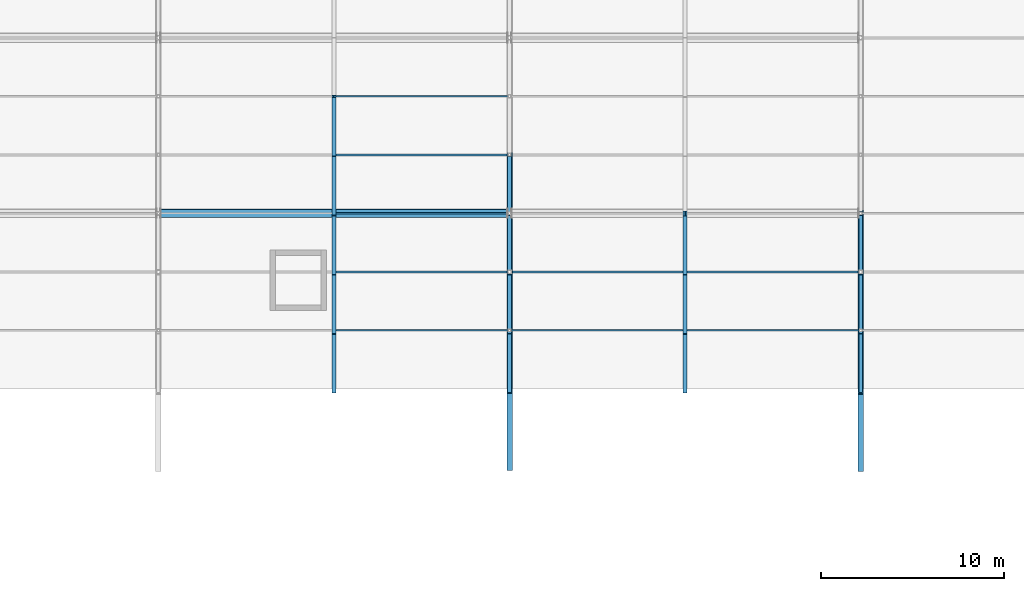
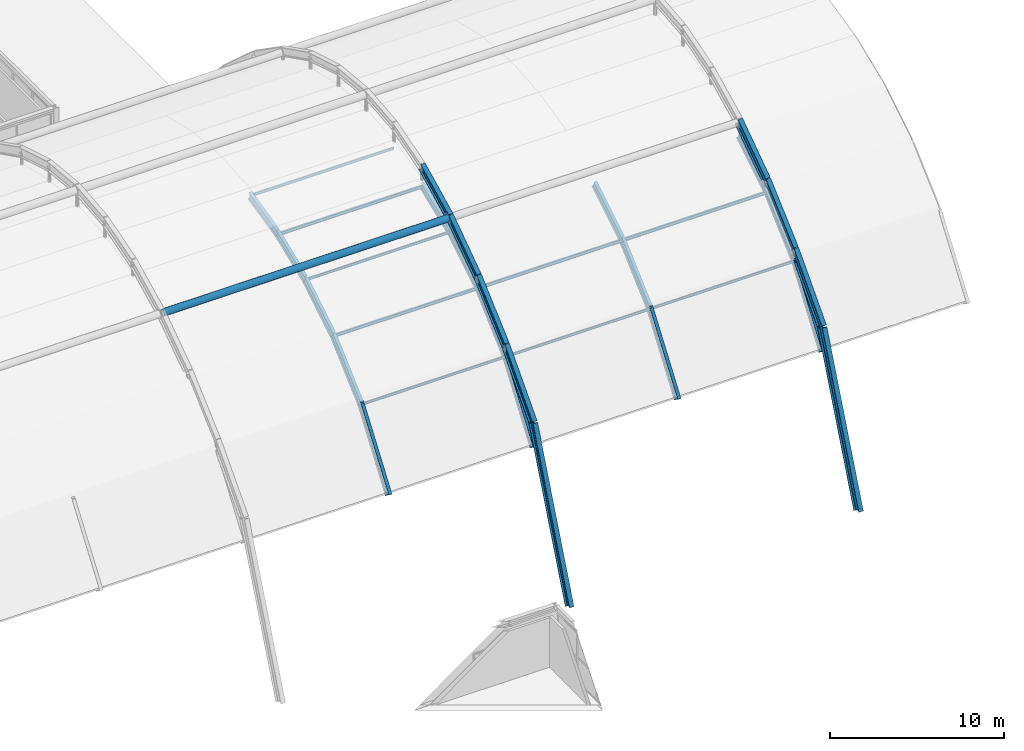
# One storey, part 60 of 126: 24 beams, 10 members.
"""IFC4 building model written with IfcOpenShell, lengths in metres."""

import ifcopenshell
import ifcopenshell.guid

model = None  # the IFC model being written
_history = None  # IfcOwnerHistory: only IFC2X3 demands one
_inside = {}  # id of a spatial element -> (the spatial element, [elements in it])
_under = {}  # id of a project, library or spatial element -> (it, [spatial elements below it])
_declared = {}  # id of a project -> (the project, [libraries it declares])
_typed = {}  # id of a type object -> (the type object, [elements of that type])
_made_of = {}  # id of a material, layer set ... -> (it, [elements and type objects made of it])


def new_model(schema):
    """Start an empty IFC model of exactly this schema.

    Asked for "IFC4X3", IfcOpenShell would pick the latest addendum, in which some entities
    have other attributes; the version numbers below select the first issue.
    IFC2X3 requires an IfcOwnerHistory on every rooted entity: one is made here for all.
    """
    global model, _history
    if schema == "IFC4X3":
        model = ifcopenshell.file(schema_version=(4, 3, 0, 0))
    else:
        model = ifcopenshell.file(schema=schema)
    _inside.clear()
    _under.clear()
    _declared.clear()
    _typed.clear()
    _made_of.clear()
    _history = None
    if model.schema == "IFC2X3":
        org = make("IfcOrganization", Name="unknown")
        user = make(
            "IfcPersonAndOrganization",
            ThePerson=make("IfcPerson", FamilyName="unknown"),
            TheOrganization=org,
        )
        app = make(
            "IfcApplication",
            ApplicationDeveloper=org,
            Version="unknown",
            ApplicationFullName="unknown",
            ApplicationIdentifier="unknown",
        )
        _history = make(
            "IfcOwnerHistory",
            OwningUser=user,
            OwningApplication=app,
            ChangeAction="ADDED",
            CreationDate=0,
        )
    return model


def make(cls, **values):
    """One entity of the class cls with the attributes given. An attribute that is None is left unset."""
    return model.create_entity(
        cls, **{name: value for name, value in values.items() if value is not None}
    )


def rooted(cls, **values):
    """An entity with a GlobalId (a new one), such as an element, a storey or a relation."""
    return make(cls, GlobalId=ifcopenshell.guid.new(), OwnerHistory=_history, **values)


def si_unit(unit_type, name, prefix=None):
    """IfcSIUnit, for example si_unit("LENGTHUNIT", "METRE", prefix="MILLI")."""
    return make("IfcSIUnit", UnitType=unit_type, Prefix=prefix, Name=name)


def assignment(units):
    """IfcUnitAssignment: the units of a project."""
    return None if units is None else make("IfcUnitAssignment", Units=units)


def point(xyz):
    """IfcCartesianPoint."""
    return None if xyz is None else make("IfcCartesianPoint", Coordinates=xyz)


def direction(xyz):
    """IfcDirection."""
    return None if xyz is None else make("IfcDirection", DirectionRatios=xyz)


def frame(location, z_axis=None, x_axis=None):
    """IfcAxis2Placement3D, a coordinate frame: its origin and axes. An axis left out is left unset."""
    return make(
        "IfcAxis2Placement3D",
        Location=point(location),
        Axis=direction(z_axis),
        RefDirection=direction(x_axis),
    )


def frame_2d(location, x_axis=None):
    """IfcAxis2Placement2D, a coordinate frame in the plane: its origin and x axis."""
    return make(
        "IfcAxis2Placement2D", Location=point(location), RefDirection=direction(x_axis)
    )


def origin():
    """The frame at (0, 0, 0) with its axes left unset."""
    return frame((0.0, 0.0, 0.0))


def origin_2d():
    """The frame at (0, 0) in the plane with its x axis left unset."""
    return frame_2d((0.0, 0.0))


def place(relative_to, where):
    """IfcLocalPlacement: puts the frame where relative to a parent placement (None: the world)."""
    return make(
        "IfcLocalPlacement", PlacementRelTo=relative_to, RelativePlacement=where
    )


def context(
    kind, dimensions, precision=None, world=None, true_north=None, identifier=None
):
    """IfcGeometricRepresentationContext, for example the 3D "Model" context."""
    return make(
        "IfcGeometricRepresentationContext",
        ContextIdentifier=identifier,
        ContextType=kind,
        CoordinateSpaceDimension=dimensions,
        Precision=precision,
        WorldCoordinateSystem=world,
        TrueNorth=true_north,
    )


def subcontext(parent, identifier, kind, view, scale=None):
    """IfcGeometricRepresentationSubContext, for example "Body" below "Model"."""
    return make(
        "IfcGeometricRepresentationSubContext",
        ContextIdentifier=identifier,
        ContextType=kind,
        ParentContext=parent,
        TargetScale=scale,
        TargetView=view,
    )


def project(units=None, contexts=None):
    """IfcProject with its units and contexts."""
    return rooted(
        "IfcProject",
        Name="project",
        RepresentationContexts=contexts,
        UnitsInContext=assignment(units),
    )


def spatial(cls, under=None, at=None, **own):
    """A site, building, storey or space (cls), placed at a placement, below another one or the project."""
    s = rooted(cls, ObjectPlacement=at, **own)
    if under is not None:
        _under.setdefault(under.id(), (under, []))[1].append(s)
    return s


def profile(cls, at=None, kind="AREA", **sizes):
    """A parametric profile (cls). Its sizes go by their IFC names, for example OverallWidth=200.0."""
    return make(cls, ProfileType=kind, Position=at, **sizes)


def hollow_circle(**sizes):
    """IfcCircleHollowProfileDef."""
    return profile("IfcCircleHollowProfileDef", **sizes)


def i_section(**sizes):
    """IfcIShapeProfileDef."""
    return profile("IfcIShapeProfileDef", **sizes)


def extrude(swept, where, along, depth):
    """IfcExtrudedAreaSolid: the profile swept, set in the frame where, extruded along a direction by depth."""
    return make(
        "IfcExtrudedAreaSolid",
        SweptArea=swept,
        Position=where,
        ExtrudedDirection=direction(along),
        Depth=depth,
    )


def shape(context_of_items, identifier, shape_type, items):
    """IfcShapeRepresentation: the items that make up one representation, for example the "Body"."""
    return make(
        "IfcShapeRepresentation",
        ContextOfItems=context_of_items,
        RepresentationIdentifier=identifier,
        RepresentationType=shape_type,
        Items=items,
    )


def material(Name=None, Category=None):
    """IfcMaterial."""
    return make("IfcMaterial", Name=Name, Category=Category)


def material_profile(
    of_material, cross_section, Name=None, Category=None, Priority=None
):
    """IfcMaterialProfile: a cross section and its material."""
    return make(
        "IfcMaterialProfile",
        Name=Name,
        Material=of_material,
        Profile=cross_section,
        Priority=Priority,
        Category=Category,
    )


def profile_set(profiles, Name=None, composite=None):
    """IfcMaterialProfileSet."""
    return make(
        "IfcMaterialProfileSet",
        Name=Name,
        MaterialProfiles=profiles,
        CompositeProfile=composite,
    )


def made_of(thing, what):
    """Note that an element or type object is made of a material, layer set ...; save() writes the relation."""
    if what is not None:
        _made_of.setdefault(what.id(), (what, []))[1].append(thing)
    return thing


def type_object(cls, material=None, **own):
    """A type object (cls), such as IfcWallType, which elements share."""
    return made_of(rooted(cls, **own), material)


def element(
    cls,
    number,
    at=None,
    inside=None,
    cuts=None,
    type_object=None,
    material=None,
    context=None,
    identifier="Body",
    shape_type=None,
    held_by="IfcProductDefinitionShape",
    body=None,
    shapes=None,
    **own,
):
    """One element of the class cls, such as IfcWall. Its Tag is "e" and its number.

    at: its placement. inside: the storey or other place that contains it. cuts: it is an
    opening in that element (IfcRelVoidsElement). A single representation is given by context,
    identifier, shape_type and body (its items); several are given by shapes. held_by: the class
    of the entity that holds the representations. save() writes the other relations.
    """
    e = rooted(cls, Tag="e%d" % number, ObjectPlacement=at, **own)
    if body is not None:
        shapes = [shape(context, identifier, shape_type, body)]
    if shapes is not None:
        e.Representation = make(held_by, Representations=shapes)
    if inside is not None:
        _inside.setdefault(inside.id(), (inside, []))[1].append(e)
    if cuts is not None:
        rooted(
            "IfcRelVoidsElement", RelatingBuildingElement=cuts, RelatedOpeningElement=e
        )
    if type_object is not None:
        _typed.setdefault(type_object.id(), (type_object, []))[1].append(e)
    return made_of(e, material)


def aggregate(whole, parts):
    """IfcRelAggregates: a whole, such as a stair, and the parts it consists of."""
    return rooted("IfcRelAggregates", RelatingObject=whole, RelatedObjects=parts)


def save(model, path):
    """Write the relations noted so far, then the file.

    IfcRelAggregates (storeys below a building ...), IfcRelContainedInSpatialStructure (elements
    in a storey), IfcRelDefinesByType, IfcRelAssociatesMaterial and IfcRelDeclares: one each for
    every whole, place, type object, material and project.
    """
    for whole, parts in _under.values():
        aggregate(whole, parts)
    for where, things in _inside.values():
        rooted(
            "IfcRelContainedInSpatialStructure",
            RelatedElements=things,
            RelatingStructure=where,
        )
    for kind, things in _typed.values():
        rooted("IfcRelDefinesByType", RelatedObjects=things, RelatingType=kind)
    for what, things in _made_of.values():
        rooted("IfcRelAssociatesMaterial", RelatedObjects=things, RelatingMaterial=what)
    for by, libraries in _declared.values():
        rooted("IfcRelDeclares", RelatingContext=by, RelatedDefinitions=libraries)
    model.write(path)


model = new_model("IFC4")

# Units and contexts
model_context = context("Model", 3, precision=1e-05, world=origin(), true_north=direction((0.0, 1.0)))
body_context = subcontext(model_context, "Body", "Model", "MODEL_VIEW")
ifc_project = project(units=[si_unit("LENGTHUNIT", "METRE"), si_unit("AREAUNIT", "SQUARE_METRE"), si_unit("VOLUMEUNIT", "CUBIC_METRE"), si_unit("PLANEANGLEUNIT", "RADIAN"), si_unit("MASSUNIT", "GRAM", prefix="KILO")], contexts=[model_context])

# Site, building, storey
site_placement = place(None, origin())
site = spatial("IfcSite", under=ifc_project, at=site_placement, CompositionType="ELEMENT")
building_placement = place(site_placement, origin())
building = spatial("IfcBuilding", under=site, at=building_placement, Name="Coralgate Yard Interchange", CompositionType="ELEMENT")
storey_placement = place(building_placement, frame((0.0, 0.0, 10.5)))
storey = spatial("IfcBuildingStorey", under=building, at=storey_placement, Name="L02", CompositionType="ELEMENT", Elevation=10.5)

# Beams
ifc_material_1 = material(Name="Yellow-ochre weather-coated structural steel S355J2", Category="steel")
ifc_material_profile_1 = material_profile(ifc_material_1, i_section(OverallWidth=0.300048828125, OverallDepth=0.64990234375, WebThickness=0.01611328125, FlangeThickness=0.031005859375, FilletRadius=0.027099609375, at=origin_2d()), Name="HEB 650")
ifc_profile_set_1 = profile_set([ifc_material_profile_1], Name="Yellow-ochre weather-coated structural steel S355J2")
beam_type_1 = type_object("IfcBeamType", Name="BM-AR-1", PredefinedType="BEAM", material=ifc_profile_set_1)
beam_1_placement = place(storey_placement, frame((124.800048828125, 34.199951171875, -8.699951171875), z_axis=(0.0, 0.374462329793, 0.927242127799), x_axis=(-1.0, 0.0, 0.0)))
element("IfcBeam", 1, at=beam_1_placement, inside=storey, type_object=beam_type_1, Name="Yellow-ochre overarching steel arch AR-5 chord 1", PredefinedType="BEAM", context=body_context, shape_type="SweptSolid", body=[
    extrude(i_section(OverallWidth=0.300048828125, OverallDepth=0.64990234375, WebThickness=0.01611328125, FlangeThickness=0.031005859375, FilletRadius=0.027099609375, at=origin_2d()), origin(), (0.0, 0.0, 1.0), 11.216064453125),
])
beam_2_placement = place(storey_placement, frame((124.800048828125, 38.39990234375, 1.699951171875), z_axis=(0.0, 0.673332175911, 0.739340098252), x_axis=(-1.0, 0.0, 0.0)))
element("IfcBeam", 2, at=beam_2_placement, inside=storey, type_object=beam_type_1, Name="Yellow-ochre overarching steel arch AR-5 chord 2", PredefinedType="BEAM", context=body_context, shape_type="SweptSolid", body=[
    extrude(i_section(OverallWidth=0.300048828125, OverallDepth=0.64990234375, WebThickness=0.01611328125, FlangeThickness=0.031005859375, FilletRadius=0.027099609375, at=origin_2d()), origin(), (0.0, 0.0, 1.0), 4.752685546875),
])
beam_3_placement = place(storey_placement, frame((124.800048828125, 41.60009765625, 5.2138671875), z_axis=(0.0, 0.74386673808, 0.668327970369), x_axis=(-1.0, 0.0, 0.0)))
element("IfcBeam", 3, at=beam_3_placement, inside=storey, type_object=beam_type_1, Name="Yellow-ochre overarching steel arch AR-5 chord 3", PredefinedType="BEAM", context=body_context, shape_type="SweptSolid", body=[
    extrude(i_section(OverallWidth=0.300048828125, OverallDepth=0.64990234375, WebThickness=0.01611328125, FlangeThickness=0.031005859375, FilletRadius=0.027099609375, at=origin_2d()), origin(), (0.0, 0.0, 1.0), 4.3017578125),
])
beam_4_placement = place(storey_placement, frame((124.800048828125, 44.800048828125, 8.0888671875), z_axis=(0.0, 0.819698802508, 0.572794791498), x_axis=(-1.0, 0.0, 0.0)))
element("IfcBeam", 4, at=beam_4_placement, inside=storey, type_object=beam_type_1, Name="Yellow-ochre overarching steel arch AR-5 chord 4", PredefinedType="BEAM", context=body_context, shape_type="SweptSolid", body=[
    extrude(i_section(OverallWidth=0.300048828125, OverallDepth=0.64990234375, WebThickness=0.01611328125, FlangeThickness=0.031005859375, FilletRadius=0.027099609375, at=origin_2d()), origin(), (0.0, 0.0, 1.0), 3.90380859375),
])
ifc_material_profile_2 = material_profile(ifc_material_1, i_section(OverallWidth=0.300048828125, OverallDepth=0.550048828125, WebThickness=0.014892578125, FlangeThickness=0.029052734375, FilletRadius=0.027099609375, at=origin_2d()), Name="HEB 550")
ifc_profile_set_2 = profile_set([ifc_material_profile_2], Name="Yellow-ochre weather-coated structural steel S355J2")
beam_type_2 = type_object("IfcBeamType", Name="BM-AR-2", PredefinedType="BEAM", material=ifc_profile_set_2)
beam_5_placement = place(storey_placement, frame((105.60009765625, 34.199951171875, -8.699951171875), z_axis=(0.0, 0.374462329793, 0.927242127799), x_axis=(-1.0, 0.0, 0.0)))
element("IfcBeam", 5, at=beam_5_placement, inside=storey, type_object=beam_type_2, Name="Yellow-ochre overarching steel arch AR-4 chord 1", PredefinedType="BEAM", context=body_context, shape_type="SweptSolid", body=[
    extrude(i_section(OverallWidth=0.300048828125, OverallDepth=0.550048828125, WebThickness=0.014892578125, FlangeThickness=0.029052734375, FilletRadius=0.027099609375, at=origin_2d()), origin(), (0.0, 0.0, 1.0), 11.216064453125),
])
beam_6_placement = place(storey_placement, frame((105.60009765625, 38.39990234375, 1.699951171875), z_axis=(0.0, 0.673332175911, 0.739340098252), x_axis=(-1.0, 0.0, 0.0)))
element("IfcBeam", 6, at=beam_6_placement, inside=storey, type_object=beam_type_2, Name="Yellow-ochre overarching steel arch AR-4 chord 2", PredefinedType="BEAM", context=body_context, shape_type="SweptSolid", body=[
    extrude(i_section(OverallWidth=0.300048828125, OverallDepth=0.550048828125, WebThickness=0.014892578125, FlangeThickness=0.029052734375, FilletRadius=0.027099609375, at=origin_2d()), origin(), (0.0, 0.0, 1.0), 4.752685546875),
])
beam_7_placement = place(storey_placement, frame((105.60009765625, 41.60009765625, 5.2138671875), z_axis=(0.0, 0.74386673808, 0.668327970369), x_axis=(-1.0, 0.0, 0.0)))
element("IfcBeam", 7, at=beam_7_placement, inside=storey, type_object=beam_type_2, Name="Yellow-ochre overarching steel arch AR-4 chord 3", PredefinedType="BEAM", context=body_context, shape_type="SweptSolid", body=[
    extrude(i_section(OverallWidth=0.300048828125, OverallDepth=0.550048828125, WebThickness=0.014892578125, FlangeThickness=0.029052734375, FilletRadius=0.027099609375, at=origin_2d()), origin(), (0.0, 0.0, 1.0), 4.3017578125),
])
beam_8_placement = place(storey_placement, frame((105.60009765625, 44.800048828125, 8.0888671875), z_axis=(0.0, 0.819698802508, 0.572794791498), x_axis=(-1.0, 0.0, 0.0)))
element("IfcBeam", 8, at=beam_8_placement, inside=storey, type_object=beam_type_2, Name="Yellow-ochre overarching steel arch AR-4 chord 4", PredefinedType="BEAM", context=body_context, shape_type="SweptSolid", body=[
    extrude(i_section(OverallWidth=0.300048828125, OverallDepth=0.550048828125, WebThickness=0.014892578125, FlangeThickness=0.029052734375, FilletRadius=0.027099609375, at=origin_2d()), origin(), (0.0, 0.0, 1.0), 3.90380859375),
])
beam_9_placement = place(storey_placement, frame((105.60009765625, 48.0, 10.324951171875), z_axis=(0.0, 0.894740986573, 0.446585453129), x_axis=(-1.0, 0.0, 0.0)))
element("IfcBeam", 9, at=beam_9_placement, inside=storey, type_object=beam_type_2, Name="Yellow-ochre overarching steel arch AR-4 chord 5", PredefinedType="BEAM", context=body_context, shape_type="SweptSolid", body=[
    extrude(i_section(OverallWidth=0.300048828125, OverallDepth=0.550048828125, WebThickness=0.014892578125, FlangeThickness=0.029052734375, FilletRadius=0.027099609375, at=origin_2d()), origin(), (0.0, 0.0, 1.0), 3.576416015625),
])
ifc_material_2 = material(Name="Weather-coated structural steel S355J2", Category="steel")
ifc_material_profile_3 = material_profile(ifc_material_2, i_section(OverallWidth=0.209228515625, OverallDepth=0.533203125, WebThickness=0.010009765625, FlangeThickness=0.015625, FilletRadius=0.0126953125, at=origin_2d()), Name="UB 533x210x92")
ifc_profile_set_3 = profile_set([ifc_material_profile_3], Name="Weather-coated structural steel S355J2")
beam_type_3 = type_object("IfcBeamType", Name="BM-VR-1", PredefinedType="BEAM", material=ifc_profile_set_3)
beam_10_placement = place(storey_placement, frame((96.0, 38.39990234375, -0.053466796875), z_axis=(0.0, 0.58185107692, 0.813295348743), x_axis=(-1.0, 0.0, 0.0)))
element("IfcBeam", 10, at=beam_10_placement, inside=storey, type_object=beam_type_3, Name="Barrel-vault gridshell rib 7 seg 1", PredefinedType="BEAM", context=body_context, shape_type="SweptSolid", body=[
    extrude(i_section(OverallWidth=0.209228515625, OverallDepth=0.533203125, WebThickness=0.010009765625, FlangeThickness=0.015625, FilletRadius=0.0126953125, at=origin_2d()), origin(), (0.0, 0.0, 1.0), 5.5),
])
beam_11_placement = place(storey_placement, frame((96.0, 41.60009765625, 4.419677734375), z_axis=(0.0, 0.739475275209, 0.673183717387), x_axis=(-1.0, 0.0, 0.0)))
element("IfcBeam", 11, at=beam_11_placement, inside=storey, type_object=beam_type_3, Name="Barrel-vault gridshell rib 7 seg 2", PredefinedType="BEAM", context=body_context, shape_type="SweptSolid", body=[
    extrude(i_section(OverallWidth=0.209228515625, OverallDepth=0.533203125, WebThickness=0.010009765625, FlangeThickness=0.015625, FilletRadius=0.0126953125, at=origin_2d()), origin(), (0.0, 0.0, 1.0), 4.327392578125),
])
beam_12_placement = place(storey_placement, frame((96.0, 44.800048828125, 7.332763671875), z_axis=(0.0, 0.852378727212, 0.522924951973), x_axis=(-1.0, 0.0, 0.0)))
element("IfcBeam", 12, at=beam_12_placement, inside=storey, type_object=beam_type_3, Name="Barrel-vault gridshell rib 7 seg 3", PredefinedType="BEAM", context=body_context, shape_type="SweptSolid", body=[
    extrude(i_section(OverallWidth=0.209228515625, OverallDepth=0.533203125, WebThickness=0.010009765625, FlangeThickness=0.015625, FilletRadius=0.0126953125, at=origin_2d()), origin(), (0.0, 0.0, 1.0), 3.754150390625),
])
beam_13_placement = place(storey_placement, frame((96.0, 48.0, 9.2958984375), z_axis=(0.0, 0.927713244188, 0.373293633161), x_axis=(-1.0, 0.0, 0.0)))
element("IfcBeam", 13, at=beam_13_placement, inside=storey, type_object=beam_type_3, Name="Barrel-vault gridshell rib 7 seg 4", PredefinedType="BEAM", context=body_context, shape_type="SweptSolid", body=[
    extrude(i_section(OverallWidth=0.209228515625, OverallDepth=0.533203125, WebThickness=0.010009765625, FlangeThickness=0.015625, FilletRadius=0.0126953125, at=origin_2d()), origin(), (0.0, 0.0, 1.0), 3.44921875),
])
beam_14_placement = place(storey_placement, frame((96.0, 51.199951171875, 10.58349609375), z_axis=(0.0, 0.974597563071, 0.223963367664), x_axis=(-1.0, 0.0, 0.0)))
element("IfcBeam", 14, at=beam_14_placement, inside=storey, type_object=beam_type_3, Name="Barrel-vault gridshell rib 7 seg 5", PredefinedType="BEAM", context=body_context, shape_type="SweptSolid", body=[
    extrude(i_section(OverallWidth=0.209228515625, OverallDepth=0.533203125, WebThickness=0.010009765625, FlangeThickness=0.015625, FilletRadius=0.0126953125, at=origin_2d()), origin(), (0.0, 0.0, 1.0), 3.283447265625),
])
beam_15_placement = place(storey_placement, frame((115.199951171875, 38.39990234375, -0.053466796875), z_axis=(0.0, 0.58185107692, 0.813295348743), x_axis=(-1.0, 0.0, 0.0)))
element("IfcBeam", 15, at=beam_15_placement, inside=storey, type_object=beam_type_3, Name="Barrel-vault gridshell rib 9 seg 1", PredefinedType="BEAM", context=body_context, shape_type="SweptSolid", body=[
    extrude(i_section(OverallWidth=0.209228515625, OverallDepth=0.533203125, WebThickness=0.010009765625, FlangeThickness=0.015625, FilletRadius=0.0126953125, at=origin_2d()), origin(), (0.0, 0.0, 1.0), 5.5),
])
beam_16_placement = place(storey_placement, frame((115.199951171875, 41.60009765625, 4.419677734375), z_axis=(0.0, 0.739475275209, 0.673183717387), x_axis=(-1.0, 0.0, 0.0)))
element("IfcBeam", 16, at=beam_16_placement, inside=storey, type_object=beam_type_3, Name="Barrel-vault gridshell rib 9 seg 2", PredefinedType="BEAM", context=body_context, shape_type="SweptSolid", body=[
    extrude(i_section(OverallWidth=0.209228515625, OverallDepth=0.533203125, WebThickness=0.010009765625, FlangeThickness=0.015625, FilletRadius=0.0126953125, at=origin_2d()), origin(), (0.0, 0.0, 1.0), 4.327392578125),
])
beam_17_placement = place(storey_placement, frame((115.199951171875, 44.800048828125, 7.332763671875), z_axis=(0.0, 0.852378727212, 0.522924951973), x_axis=(-1.0, 0.0, 0.0)))
element("IfcBeam", 17, at=beam_17_placement, inside=storey, type_object=beam_type_3, Name="Barrel-vault gridshell rib 9 seg 3", PredefinedType="BEAM", context=body_context, shape_type="SweptSolid", body=[
    extrude(i_section(OverallWidth=0.209228515625, OverallDepth=0.533203125, WebThickness=0.010009765625, FlangeThickness=0.015625, FilletRadius=0.0126953125, at=origin_2d()), origin(), (0.0, 0.0, 1.0), 3.754150390625),
])
ifc_material_profile_4 = material_profile(ifc_material_2, i_section(OverallWidth=0.199951171875, OverallDepth=0.5, WebThickness=0.01025390625, FlangeThickness=0.01611328125, FilletRadius=0.02099609375, at=origin_2d()), Name="IPE 500")
ifc_profile_set_4 = profile_set([ifc_material_profile_4], Name="Weather-coated structural steel S355J2")
beam_type_4 = type_object("IfcBeamType", Name="BM-VR-2", PredefinedType="BEAM", material=ifc_profile_set_4)
beam_18_placement = place(storey_placement, frame((105.60009765625, 38.39990234375, -0.070068359375), z_axis=(0.0, 0.579004732824, 0.815324180536), x_axis=(-1.0, 0.0, 0.0)))
element("IfcBeam", 18, at=beam_18_placement, inside=storey, type_object=beam_type_4, Name="Barrel-vault gridshell rib 8 seg 1", PredefinedType="BEAM", context=body_context, shape_type="SweptSolid", body=[
    extrude(i_section(OverallWidth=0.199951171875, OverallDepth=0.5, WebThickness=0.01025390625, FlangeThickness=0.01611328125, FilletRadius=0.02099609375, at=origin_2d()), origin(), (0.0, 0.0, 1.0), 5.527099609375),
])
beam_19_placement = place(storey_placement, frame((105.60009765625, 41.60009765625, 4.436279296875), z_axis=(0.0, 0.739475275209, 0.673183717387), x_axis=(-1.0, 0.0, 0.0)))
element("IfcBeam", 19, at=beam_19_placement, inside=storey, type_object=beam_type_4, Name="Barrel-vault gridshell rib 8 seg 2", PredefinedType="BEAM", context=body_context, shape_type="SweptSolid", body=[
    extrude(i_section(OverallWidth=0.199951171875, OverallDepth=0.5, WebThickness=0.01025390625, FlangeThickness=0.01611328125, FilletRadius=0.02099609375, at=origin_2d()), origin(), (0.0, 0.0, 1.0), 4.327392578125),
])
beam_20_placement = place(storey_placement, frame((105.60009765625, 44.800048828125, 7.349365234375), z_axis=(0.0, 0.852378727212, 0.522924951973), x_axis=(-1.0, 0.0, 0.0)))
element("IfcBeam", 20, at=beam_20_placement, inside=storey, type_object=beam_type_4, Name="Barrel-vault gridshell rib 8 seg 3", PredefinedType="BEAM", context=body_context, shape_type="SweptSolid", body=[
    extrude(i_section(OverallWidth=0.199951171875, OverallDepth=0.5, WebThickness=0.01025390625, FlangeThickness=0.01611328125, FilletRadius=0.02099609375, at=origin_2d()), origin(), (0.0, 0.0, 1.0), 3.754150390625),
])
beam_21_placement = place(storey_placement, frame((105.60009765625, 48.0, 9.3125), z_axis=(0.0, 0.927713244188, 0.373293633161), x_axis=(-1.0, 0.0, 0.0)))
element("IfcBeam", 21, at=beam_21_placement, inside=storey, type_object=beam_type_4, Name="Barrel-vault gridshell rib 8 seg 4", PredefinedType="BEAM", context=body_context, shape_type="SweptSolid", body=[
    extrude(i_section(OverallWidth=0.199951171875, OverallDepth=0.5, WebThickness=0.01025390625, FlangeThickness=0.01611328125, FilletRadius=0.02099609375, at=origin_2d()), origin(), (0.0, 0.0, 1.0), 3.44921875),
])
beam_22_placement = place(storey_placement, frame((124.800048828125, 38.39990234375, -0.070068359375), z_axis=(0.0, 0.579004732824, 0.815324180536), x_axis=(-1.0, 0.0, 0.0)))
element("IfcBeam", 22, at=beam_22_placement, inside=storey, type_object=beam_type_4, Name="Barrel-vault gridshell rib 10 seg 1", PredefinedType="BEAM", context=body_context, shape_type="SweptSolid", body=[
    extrude(i_section(OverallWidth=0.199951171875, OverallDepth=0.5, WebThickness=0.01025390625, FlangeThickness=0.01611328125, FilletRadius=0.02099609375, at=origin_2d()), origin(), (0.0, 0.0, 1.0), 5.527099609375),
])
beam_23_placement = place(storey_placement, frame((124.800048828125, 41.60009765625, 4.436279296875), z_axis=(0.0, 0.739475275209, 0.673183717387), x_axis=(-1.0, 0.0, 0.0)))
element("IfcBeam", 23, at=beam_23_placement, inside=storey, type_object=beam_type_4, Name="Barrel-vault gridshell rib 10 seg 2", PredefinedType="BEAM", context=body_context, shape_type="SweptSolid", body=[
    extrude(i_section(OverallWidth=0.199951171875, OverallDepth=0.5, WebThickness=0.01025390625, FlangeThickness=0.01611328125, FilletRadius=0.02099609375, at=origin_2d()), origin(), (0.0, 0.0, 1.0), 4.327392578125),
])
beam_24_placement = place(storey_placement, frame((124.800048828125, 44.800048828125, 7.349365234375), z_axis=(0.0, 0.852378727212, 0.522924951973), x_axis=(-1.0, 0.0, 0.0)))
element("IfcBeam", 24, at=beam_24_placement, inside=storey, type_object=beam_type_4, Name="Barrel-vault gridshell rib 10 seg 3", PredefinedType="BEAM", context=body_context, shape_type="SweptSolid", body=[
    extrude(i_section(OverallWidth=0.199951171875, OverallDepth=0.5, WebThickness=0.01025390625, FlangeThickness=0.01611328125, FilletRadius=0.02099609375, at=origin_2d()), origin(), (0.0, 0.0, 1.0), 3.754150390625),
])

# Members
ifc_material_profile_5 = material_profile(ifc_material_1, hollow_circle(Radius=0.228515625, WallThickness=0.01611328125, at=origin_2d()), Name="CHS 457x16")
ifc_profile_set_5 = profile_set([ifc_material_profile_5], Name="Yellow-ochre weather-coated structural steel S355J2")
member_type_1 = type_object("IfcMemberType", Name="MB-GC-7", PredefinedType="CHORD", material=ifc_profile_set_5)
member_1_placement = place(storey_placement, frame((86.52001953125, 48.0, 10.25), z_axis=(1.0, 0.0, 0.0), x_axis=(0.0, 1.0, 0.0)))
element("IfcMember", 25, at=member_1_placement, inside=storey, type_object=member_type_1, Name="Arch longitudinal tie strut 3-S", PredefinedType="CHORD", context=body_context, shape_type="SweptSolid", body=[
    extrude(hollow_circle(Radius=0.228515625, WallThickness=0.01611328125, at=origin_2d()), origin(), (0.0, 0.0, 1.0), 18.9599609375),
])
ifc_material_profile_6 = material_profile(ifc_material_2, i_section(OverallWidth=0.110107421875, OverallDepth=0.219970703125, WebThickness=0.005859375, FlangeThickness=0.00927734375, FilletRadius=0.011962890625, at=origin_2d()), Name="IPE 220")
ifc_profile_set_6 = profile_set([ifc_material_profile_6], Name="Weather-coated structural steel S355J2")
member_type_2 = type_object("IfcMemberType", Name="MB-PR-1", PredefinedType="PURLIN", material=ifc_profile_set_6)
for number, where, z_axis, x_axis, name in (
    (26, (96.001953125, 44.800048828125, 7.2392578125), (1.0, 0.0, 0.0), (0.0, 1.0, 0.0), "Barrel-vault gridshell purlin 7-3"),
    (27, (96.001953125, 51.199951171875, 10.489990234375), (1.0, 0.0, 0.0), (0.0, 1.0, 0.0), "Barrel-vault gridshell purlin 7-5"),
    (28, (105.60205078125, 44.800048828125, 7.2392578125), (1.0, 0.0, 0.0), (0.0, 1.0, 0.0), "Barrel-vault gridshell purlin 8-3"),
):
    element("IfcMember", number, at=place(storey_placement, frame(where, z_axis=z_axis, x_axis=x_axis)), inside=storey, type_object=member_type_2, Name=name, PredefinedType="PURLIN", context=body_context, shape_type="SweptSolid", body=[
        extrude(i_section(OverallWidth=0.110107421875, OverallDepth=0.219970703125, WebThickness=0.005859375, FlangeThickness=0.00927734375, FilletRadius=0.011962890625, at=origin_2d()), origin(), (0.0, 0.0, 1.0), 9.595947265625),
    ])
member_2_placement = place(storey_placement, frame((115.201904296875, 44.800048828125, 7.2392578125), z_axis=(1.0, 0.0, 0.0), x_axis=(0.0, 1.0, 0.0)))
element("IfcMember", 29, at=member_2_placement, inside=storey, type_object=member_type_2, Name="Barrel-vault gridshell purlin 9-3", PredefinedType="PURLIN", context=body_context, shape_type="SweptSolid", body=[
    extrude(i_section(OverallWidth=0.110107421875, OverallDepth=0.219970703125, WebThickness=0.005859375, FlangeThickness=0.00927734375, FilletRadius=0.011962890625, at=origin_2d()), origin(), (0.0, 0.0, 1.0), 9.59619140625),
])
ifc_material_3 = material(Name="Off-white architectural structural steel S355J2", Category="steel")
ifc_material_profile_7 = material_profile(ifc_material_3, i_section(OverallWidth=0.091064453125, OverallDepth=0.179931640625, WebThickness=0.00537109375, FlangeThickness=0.008056640625, FilletRadius=0.009033203125, at=origin_2d()), Name="IPE 180")
ifc_profile_set_7 = profile_set([ifc_material_profile_7], Name="Off-white architectural structural steel S355J2")
member_type_3 = type_object("IfcMemberType", Name="MB-PR-2", PredefinedType="PURLIN", material=ifc_profile_set_7)
for number, where, z_axis, x_axis, name in (
    (30, (96.001953125, 41.60009765625, 4.3662109375), (1.0, 0.0, 0.0), (0.0, 1.0, 0.0), "Barrel-vault gridshell purlin 7-2"),
    (31, (96.001953125, 48.0, 9.242431640625), (1.0, 0.0, 0.0), (0.0, 1.0, 0.0), "Barrel-vault gridshell purlin 7-4"),
    (32, (96.001953125, 54.39990234375, 11.265380859375), (1.0, 0.0, 0.0), (0.0, 1.0, 0.0), "Barrel-vault gridshell purlin 7-6"),
    (33, (105.60205078125, 41.60009765625, 4.3662109375), (1.0, 0.0, 0.0), (0.0, 1.0, 0.0), "Barrel-vault gridshell purlin 8-2"),
):
    element("IfcMember", number, at=place(storey_placement, frame(where, z_axis=z_axis, x_axis=x_axis)), inside=storey, type_object=member_type_3, Name=name, PredefinedType="PURLIN", context=body_context, shape_type="SweptSolid", body=[
        extrude(i_section(OverallWidth=0.091064453125, OverallDepth=0.179931640625, WebThickness=0.00537109375, FlangeThickness=0.008056640625, FilletRadius=0.009033203125, at=origin_2d()), origin(), (0.0, 0.0, 1.0), 9.595947265625),
    ])
member_3_placement = place(storey_placement, frame((115.201904296875, 41.60009765625, 4.3662109375), z_axis=(1.0, 0.0, 0.0), x_axis=(0.0, 1.0, 0.0)))
element("IfcMember", 34, at=member_3_placement, inside=storey, type_object=member_type_3, Name="Barrel-vault gridshell purlin 9-2", PredefinedType="PURLIN", context=body_context, shape_type="SweptSolid", body=[
    extrude(i_section(OverallWidth=0.091064453125, OverallDepth=0.179931640625, WebThickness=0.00537109375, FlangeThickness=0.008056640625, FilletRadius=0.009033203125, at=origin_2d()), origin(), (0.0, 0.0, 1.0), 9.59619140625),
])

save(model, "model.ifc")
